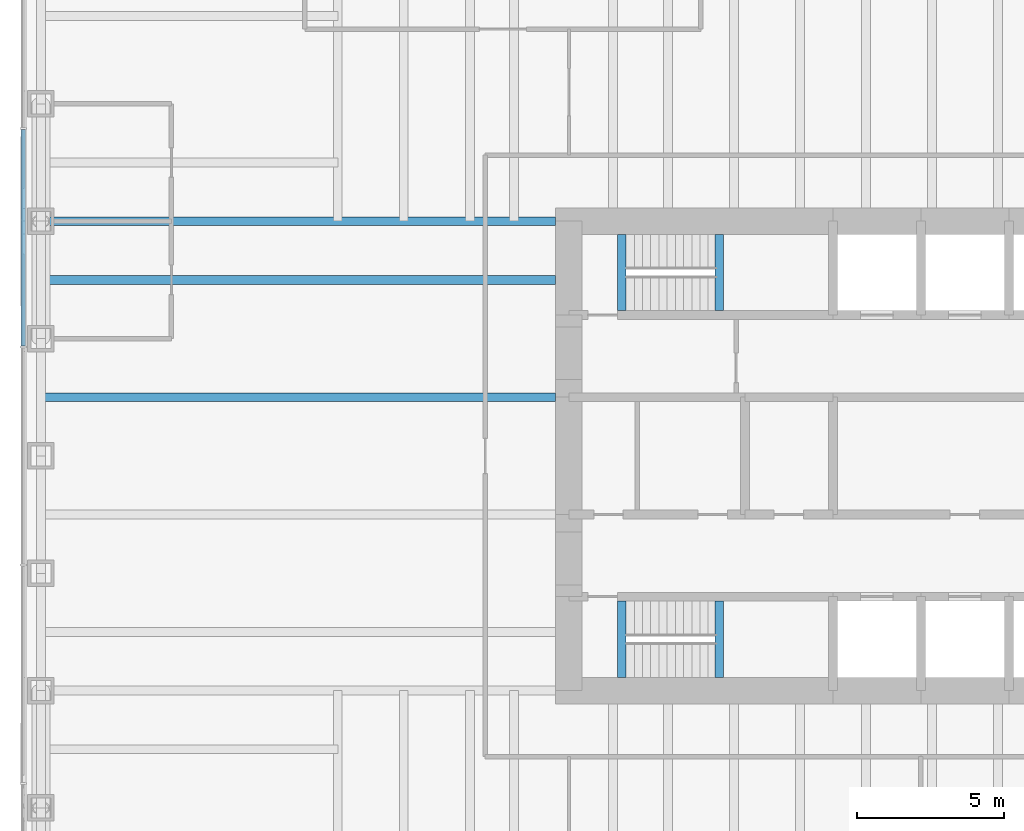
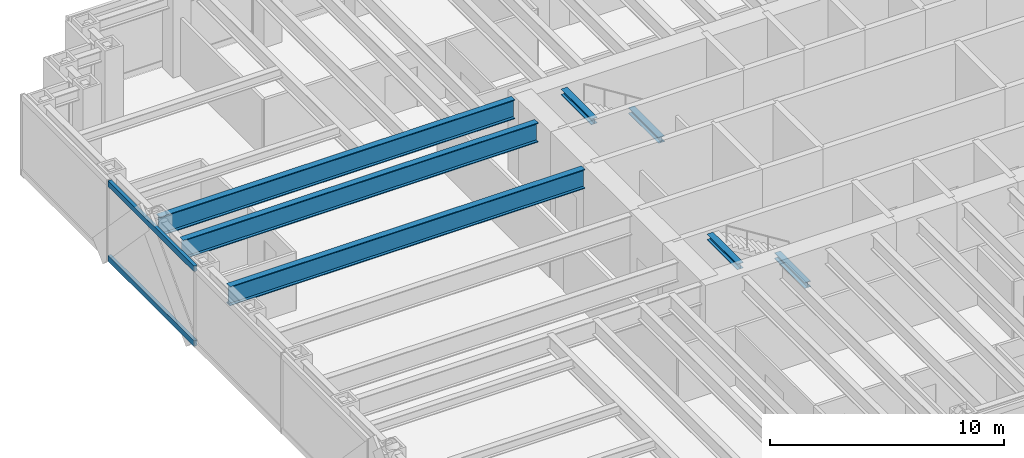
# One storey, part 3 of 15: 7 beams, 2 members, 1 element without a shape of its own.
"""IFC4 building model written with IfcOpenShell, lengths in metres."""

from ifc_helpers import new_model, si_unit, direction, frame, origin, origin_2d, place, context, subcontext, project, spatial, rectangle, i_section, extrude, material, material_profile, profile_set, type_object, element, aggregate, save


model = new_model("IFC4")

# Units and contexts
model_context = context("Model", 3, precision=1e-05, world=origin(), true_north=direction((0.0, 1.0)))
body_context = subcontext(model_context, "Body", "Model", "MODEL_VIEW")
ifc_project = project(units=[si_unit("LENGTHUNIT", "METRE"), si_unit("AREAUNIT", "SQUARE_METRE"), si_unit("VOLUMEUNIT", "CUBIC_METRE"), si_unit("PLANEANGLEUNIT", "RADIAN"), si_unit("MASSUNIT", "GRAM", prefix="KILO")], contexts=[model_context])

# Site, building, storey
site_placement = place(None, origin())
site = spatial("IfcSite", under=ifc_project, at=site_placement, CompositionType="ELEMENT")
building_placement = place(site_placement, origin())
building = spatial("IfcBuilding", under=site, at=building_placement, Name="Rheinbord Bourse Tower", CompositionType="ELEMENT")
storey_placement = place(building_placement, frame((0.0, 0.0, 108.89990234375)))
storey = spatial("IfcBuildingStorey", under=building, at=storey_placement, Name="L23", CompositionType="ELEMENT", Elevation=108.89990234375)

# Curtain wall, members
ifc_material_1 = material(Name="Dark glass and black aluminium", Category="aluminium")
curtain_wall_type = type_object("IfcCurtainWallType", Name="CW2 DARK GLASS CURTAIN WALL", PredefinedType="USERDEFINED", material=ifc_material_1)
curtain_wall_placement = place(storey_placement, origin())
curtain_wall = element("IfcCurtainWall", 1, at=curtain_wall_placement, inside=storey, type_object=curtain_wall_type, Name="Curtain wall CW2 W L23", ObjectType="UNITISED CURTAIN WALL", PredefinedType="USERDEFINED")
ifc_material_2 = material(Name="Black anodised aluminium", Category="aluminium")
ifc_material_profile_1 = material_profile(ifc_material_2, rectangle(XDim=0.159912109375, YDim=0.300048828125, at=origin_2d()), Name="CW2 TRANSOM 300x160")
ifc_profile_set_1 = profile_set([ifc_material_profile_1], Name="Black anodised aluminium")
member_type = type_object("IfcMemberType", Name="CW2 BLACK TRANSOM", PredefinedType="USERDEFINED", material=ifc_profile_set_1)
member_1_placement = place(storey_placement, frame((-0.60009765625, 35.125, 0.150146484375), z_axis=(0.0, -1.0, 0.0), x_axis=(1.0, 0.0, 0.0)))
member_1 = element("IfcMember", 2, at=member_1_placement, type_object=member_type, Name="CW2 transom 2.1", ObjectType="TRANSOM", PredefinedType="USERDEFINED", context=body_context, shape_type="SweptSolid", body=[
    extrude(rectangle(XDim=0.159912109375, YDim=0.300048828125, at=origin_2d()), origin(), (0.0, 0.0, 1.0), 7.3701171875),
])
member_2_placement = place(storey_placement, frame((-0.60009765625, 35.125, 4.050048828125), z_axis=(0.0, -1.0, 0.0), x_axis=(1.0, 0.0, 0.0)))
member_2 = element("IfcMember", 3, at=member_2_placement, type_object=member_type, Name="CW2 transom 2.2", ObjectType="TRANSOM", PredefinedType="USERDEFINED", context=body_context, shape_type="SweptSolid", body=[
    extrude(rectangle(XDim=0.159912109375, YDim=0.300048828125, at=origin_2d()), origin(), (0.0, 0.0, 1.0), 7.3701171875),
])
aggregate(curtain_wall, [member_1, member_2])

# Beams
ifc_material_3 = material(Name="Steel S460", Category="steel")
ifc_material_profile_2 = material_profile(ifc_material_3, i_section(OverallWidth=0.302001953125, OverallDepth=1.008056640625, WebThickness=0.02099609375, FlangeThickness=0.0400390625, at=origin_2d()), Name="HEM 1000")
ifc_profile_set_2 = profile_set([ifc_material_profile_2], Name="Steel S460")
beam_type_1 = type_object("IfcBeamType", Name="END BEAM HEM 1000", PredefinedType="BEAM", material=ifc_profile_set_2)
for number, where, z_axis, x_axis, name in (
    (4, (0.0, 26.0, 3.5361328125), (1.0, 0.0, 0.0), (0.0, 1.0, 0.0), "End beam west 26 L24"),
    (5, (0.0, 30.0, 3.5361328125), (1.0, 0.0, 0.0), (0.0, 1.0, 0.0), "End beam west 30 L24"),
):
    element("IfcBeam", number, at=place(storey_placement, frame(where, z_axis=z_axis, x_axis=x_axis)), inside=storey, type_object=beam_type_1, Name=name, PredefinedType="BEAM", context=body_context, shape_type="SweptSolid", body=[
        extrude(i_section(OverallWidth=0.302001953125, OverallDepth=1.008056640625, WebThickness=0.02099609375, FlangeThickness=0.0400390625, at=origin_2d()), origin(), (0.0, 0.0, 1.0), 17.550048828125),
    ])
ifc_material_4 = material(Name="Steel S460", Category="steel")
ifc_material_profile_3 = material_profile(ifc_material_4, i_section(OverallWidth=0.302001953125, OverallDepth=1.008056640625, WebThickness=0.02099609375, FlangeThickness=0.0400390625, at=origin_2d()), Name="HEM 1000")
ifc_profile_set_3 = profile_set([ifc_material_profile_3], Name="Steel S460")
beam_type_2 = type_object("IfcBeamType", Name="GIRDER HEM 1000", PredefinedType="BEAM", material=ifc_profile_set_3)
beam_placement = place(storey_placement, frame((0.0, 32.0, 3.5361328125), z_axis=(1.0, 0.0, 0.0), x_axis=(0.0, 1.0, 0.0)))
element("IfcBeam", 6, at=beam_placement, inside=storey, type_object=beam_type_2, Name="Girder west 32 L24", PredefinedType="BEAM", context=body_context, shape_type="SweptSolid", body=[
    extrude(i_section(OverallWidth=0.302001953125, OverallDepth=1.008056640625, WebThickness=0.02099609375, FlangeThickness=0.0400390625, at=origin_2d()), origin(), (0.0, 0.0, 1.0), 17.550048828125),
])
ifc_material_5 = material(Name="Steel S460", Category="steel")
ifc_material_profile_4 = material_profile(ifc_material_5, i_section(OverallWidth=0.300048828125, OverallDepth=0.300048828125, WebThickness=0.010986328125, FlangeThickness=0.01904296875, at=origin_2d()), Name="HEB 300")
ifc_profile_set_4 = profile_set([ifc_material_profile_4], Name="Steel S460")
beam_type_3 = type_object("IfcBeamType", Name="LANDING TRIMMER HEB 300", PredefinedType="BEAM", material=ifc_profile_set_4)
for number, where, z_axis, x_axis, name in (
    (7, (23.1298828125, 16.449951171875, 1.75), (0.0, 1.0, 0.0), (-1.0, 0.0, 0.0), "Landing trimmer ST1 L23"),
    (8, (19.800048828125, 16.449951171875, 3.89013671875), (0.0, 1.0, 0.0), (-1.0, 0.0, 0.0), "Well trimmer ST1 under L24"),
    (9, (23.1298828125, 28.949951171875, 1.75), (0.0, 1.0, 0.0), (-1.0, 0.0, 0.0), "Landing trimmer ST2 L23"),
    (10, (19.800048828125, 28.949951171875, 3.89013671875), (0.0, 1.0, 0.0), (-1.0, 0.0, 0.0), "Well trimmer ST2 under L24"),
):
    element("IfcBeam", number, at=place(storey_placement, frame(where, z_axis=z_axis, x_axis=x_axis)), inside=storey, type_object=beam_type_3, Name=name, PredefinedType="BEAM", context=body_context, shape_type="SweptSolid", body=[
        extrude(i_section(OverallWidth=0.300048828125, OverallDepth=0.300048828125, WebThickness=0.010986328125, FlangeThickness=0.01904296875, at=origin_2d()), origin(), (0.0, 0.0, 1.0), 2.60009765625),
    ])

save(model, "model.ifc")
